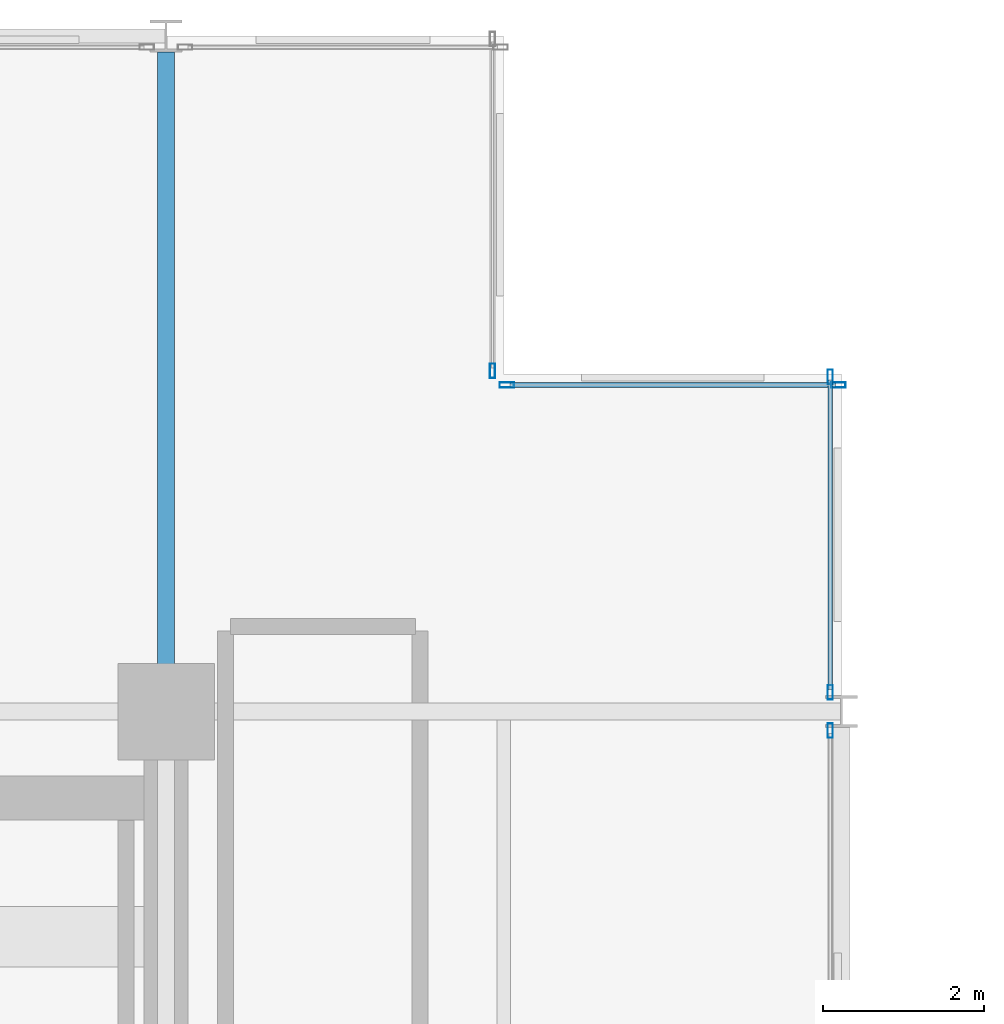
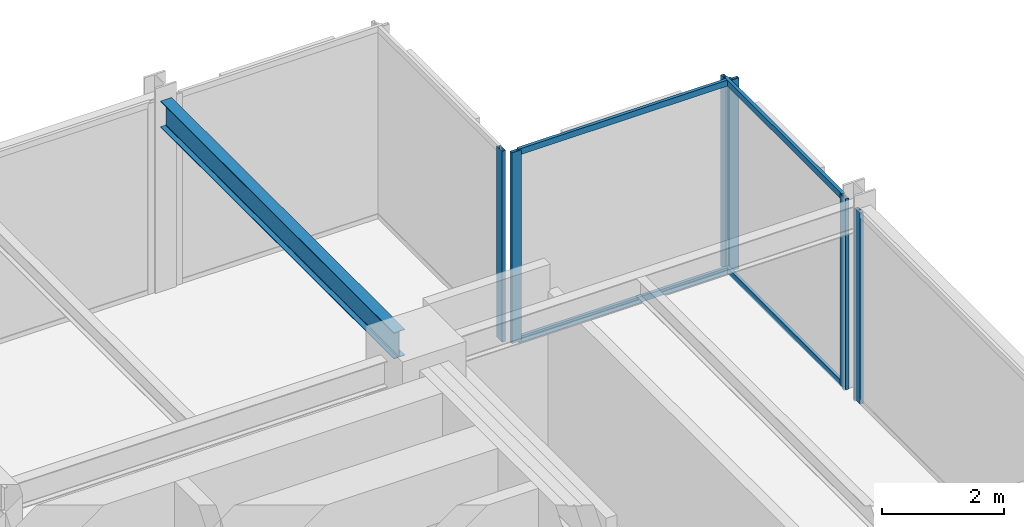
# One storey, part 28 of 38: 10 members, 1 beam, 4 elements without a shape of their own.
"""IFC4 building model written with IfcOpenShell, lengths in metres."""

import ifcopenshell
import ifcopenshell.guid

model = None  # the IFC model being written
_history = None  # IfcOwnerHistory: only IFC2X3 demands one
_inside = {}  # id of a spatial element -> (the spatial element, [elements in it])
_under = {}  # id of a project, library or spatial element -> (it, [spatial elements below it])
_declared = {}  # id of a project -> (the project, [libraries it declares])
_typed = {}  # id of a type object -> (the type object, [elements of that type])
_made_of = {}  # id of a material, layer set ... -> (it, [elements and type objects made of it])


def new_model(schema):
    """Start an empty IFC model of exactly this schema.

    Asked for "IFC4X3", IfcOpenShell would pick the latest addendum, in which some entities
    have other attributes; the version numbers below select the first issue.
    IFC2X3 requires an IfcOwnerHistory on every rooted entity: one is made here for all.
    """
    global model, _history
    if schema == "IFC4X3":
        model = ifcopenshell.file(schema_version=(4, 3, 0, 0))
    else:
        model = ifcopenshell.file(schema=schema)
    _inside.clear()
    _under.clear()
    _declared.clear()
    _typed.clear()
    _made_of.clear()
    _history = None
    if model.schema == "IFC2X3":
        org = make("IfcOrganization", Name="unknown")
        user = make(
            "IfcPersonAndOrganization",
            ThePerson=make("IfcPerson", FamilyName="unknown"),
            TheOrganization=org,
        )
        app = make(
            "IfcApplication",
            ApplicationDeveloper=org,
            Version="unknown",
            ApplicationFullName="unknown",
            ApplicationIdentifier="unknown",
        )
        _history = make(
            "IfcOwnerHistory",
            OwningUser=user,
            OwningApplication=app,
            ChangeAction="ADDED",
            CreationDate=0,
        )
    return model


def make(cls, **values):
    """One entity of the class cls with the attributes given. An attribute that is None is left unset."""
    return model.create_entity(
        cls, **{name: value for name, value in values.items() if value is not None}
    )


def rooted(cls, **values):
    """An entity with a GlobalId (a new one), such as an element, a storey or a relation."""
    return make(cls, GlobalId=ifcopenshell.guid.new(), OwnerHistory=_history, **values)


def si_unit(unit_type, name, prefix=None):
    """IfcSIUnit, for example si_unit("LENGTHUNIT", "METRE", prefix="MILLI")."""
    return make("IfcSIUnit", UnitType=unit_type, Prefix=prefix, Name=name)


def assignment(units):
    """IfcUnitAssignment: the units of a project."""
    return None if units is None else make("IfcUnitAssignment", Units=units)


def point(xyz):
    """IfcCartesianPoint."""
    return None if xyz is None else make("IfcCartesianPoint", Coordinates=xyz)


def direction(xyz):
    """IfcDirection."""
    return None if xyz is None else make("IfcDirection", DirectionRatios=xyz)


def frame(location, z_axis=None, x_axis=None):
    """IfcAxis2Placement3D, a coordinate frame: its origin and axes. An axis left out is left unset."""
    return make(
        "IfcAxis2Placement3D",
        Location=point(location),
        Axis=direction(z_axis),
        RefDirection=direction(x_axis),
    )


def frame_2d(location, x_axis=None):
    """IfcAxis2Placement2D, a coordinate frame in the plane: its origin and x axis."""
    return make(
        "IfcAxis2Placement2D", Location=point(location), RefDirection=direction(x_axis)
    )


def origin():
    """The frame at (0, 0, 0) with its axes left unset."""
    return frame((0.0, 0.0, 0.0))


def origin_2d():
    """The frame at (0, 0) in the plane with its x axis left unset."""
    return frame_2d((0.0, 0.0))


def place(relative_to, where):
    """IfcLocalPlacement: puts the frame where relative to a parent placement (None: the world)."""
    return make(
        "IfcLocalPlacement", PlacementRelTo=relative_to, RelativePlacement=where
    )


def context(
    kind, dimensions, precision=None, world=None, true_north=None, identifier=None
):
    """IfcGeometricRepresentationContext, for example the 3D "Model" context."""
    return make(
        "IfcGeometricRepresentationContext",
        ContextIdentifier=identifier,
        ContextType=kind,
        CoordinateSpaceDimension=dimensions,
        Precision=precision,
        WorldCoordinateSystem=world,
        TrueNorth=true_north,
    )


def subcontext(parent, identifier, kind, view, scale=None):
    """IfcGeometricRepresentationSubContext, for example "Body" below "Model"."""
    return make(
        "IfcGeometricRepresentationSubContext",
        ContextIdentifier=identifier,
        ContextType=kind,
        ParentContext=parent,
        TargetScale=scale,
        TargetView=view,
    )


def project(units=None, contexts=None):
    """IfcProject with its units and contexts."""
    return rooted(
        "IfcProject",
        Name="project",
        RepresentationContexts=contexts,
        UnitsInContext=assignment(units),
    )


def spatial(cls, under=None, at=None, **own):
    """A site, building, storey or space (cls), placed at a placement, below another one or the project."""
    s = rooted(cls, ObjectPlacement=at, **own)
    if under is not None:
        _under.setdefault(under.id(), (under, []))[1].append(s)
    return s


def profile(cls, at=None, kind="AREA", **sizes):
    """A parametric profile (cls). Its sizes go by their IFC names, for example OverallWidth=200.0."""
    return make(cls, ProfileType=kind, Position=at, **sizes)


def hollow_rectangle(**sizes):
    """IfcRectangleHollowProfileDef."""
    return profile("IfcRectangleHollowProfileDef", **sizes)


def i_section(**sizes):
    """IfcIShapeProfileDef."""
    return profile("IfcIShapeProfileDef", **sizes)


def extrude(swept, where, along, depth):
    """IfcExtrudedAreaSolid: the profile swept, set in the frame where, extruded along a direction by depth."""
    return make(
        "IfcExtrudedAreaSolid",
        SweptArea=swept,
        Position=where,
        ExtrudedDirection=direction(along),
        Depth=depth,
    )


def shape(context_of_items, identifier, shape_type, items):
    """IfcShapeRepresentation: the items that make up one representation, for example the "Body"."""
    return make(
        "IfcShapeRepresentation",
        ContextOfItems=context_of_items,
        RepresentationIdentifier=identifier,
        RepresentationType=shape_type,
        Items=items,
    )


def material(Name=None, Category=None):
    """IfcMaterial."""
    return make("IfcMaterial", Name=Name, Category=Category)


def layer(
    of_material, thickness, ventilated=None, Name=None, Category=None, Priority=None
):
    """IfcMaterialLayer: one layer of a wall or slab, of a material (None: an air gap)."""
    return make(
        "IfcMaterialLayer",
        Material=of_material,
        LayerThickness=thickness,
        IsVentilated=ventilated,
        Name=Name,
        Category=Category,
        Priority=Priority,
    )


def layer_set(layers, Name=None):
    """IfcMaterialLayerSet."""
    return make("IfcMaterialLayerSet", MaterialLayers=layers, LayerSetName=Name)


def material_profile(
    of_material, cross_section, Name=None, Category=None, Priority=None
):
    """IfcMaterialProfile: a cross section and its material."""
    return make(
        "IfcMaterialProfile",
        Name=Name,
        Material=of_material,
        Profile=cross_section,
        Priority=Priority,
        Category=Category,
    )


def profile_set(profiles, Name=None, composite=None):
    """IfcMaterialProfileSet."""
    return make(
        "IfcMaterialProfileSet",
        Name=Name,
        MaterialProfiles=profiles,
        CompositeProfile=composite,
    )


def made_of(thing, what):
    """Note that an element or type object is made of a material, layer set ...; save() writes the relation."""
    if what is not None:
        _made_of.setdefault(what.id(), (what, []))[1].append(thing)
    return thing


def type_object(cls, material=None, **own):
    """A type object (cls), such as IfcWallType, which elements share."""
    return made_of(rooted(cls, **own), material)


def element(
    cls,
    number,
    at=None,
    inside=None,
    cuts=None,
    type_object=None,
    material=None,
    context=None,
    identifier="Body",
    shape_type=None,
    held_by="IfcProductDefinitionShape",
    body=None,
    shapes=None,
    **own,
):
    """One element of the class cls, such as IfcWall. Its Tag is "e" and its number.

    at: its placement. inside: the storey or other place that contains it. cuts: it is an
    opening in that element (IfcRelVoidsElement). A single representation is given by context,
    identifier, shape_type and body (its items); several are given by shapes. held_by: the class
    of the entity that holds the representations. save() writes the other relations.
    """
    e = rooted(cls, Tag="e%d" % number, ObjectPlacement=at, **own)
    if body is not None:
        shapes = [shape(context, identifier, shape_type, body)]
    if shapes is not None:
        e.Representation = make(held_by, Representations=shapes)
    if inside is not None:
        _inside.setdefault(inside.id(), (inside, []))[1].append(e)
    if cuts is not None:
        rooted(
            "IfcRelVoidsElement", RelatingBuildingElement=cuts, RelatedOpeningElement=e
        )
    if type_object is not None:
        _typed.setdefault(type_object.id(), (type_object, []))[1].append(e)
    return made_of(e, material)


def aggregate(whole, parts):
    """IfcRelAggregates: a whole, such as a stair, and the parts it consists of."""
    return rooted("IfcRelAggregates", RelatingObject=whole, RelatedObjects=parts)


def save(model, path):
    """Write the relations noted so far, then the file.

    IfcRelAggregates (storeys below a building ...), IfcRelContainedInSpatialStructure (elements
    in a storey), IfcRelDefinesByType, IfcRelAssociatesMaterial and IfcRelDeclares: one each for
    every whole, place, type object, material and project.
    """
    for whole, parts in _under.values():
        aggregate(whole, parts)
    for where, things in _inside.values():
        rooted(
            "IfcRelContainedInSpatialStructure",
            RelatedElements=things,
            RelatingStructure=where,
        )
    for kind, things in _typed.values():
        rooted("IfcRelDefinesByType", RelatedObjects=things, RelatingType=kind)
    for what, things in _made_of.values():
        rooted("IfcRelAssociatesMaterial", RelatedObjects=things, RelatingMaterial=what)
    for by, libraries in _declared.values():
        rooted("IfcRelDeclares", RelatingContext=by, RelatedDefinitions=libraries)
    model.write(path)


model = new_model("IFC4")

# Units and contexts
model_context = context("Model", 3, precision=1e-05, world=origin(), true_north=direction((0.0, 1.0)))
body_context = subcontext(model_context, "Body", "Model", "MODEL_VIEW")
ifc_project = project(units=[si_unit("LENGTHUNIT", "METRE"), si_unit("AREAUNIT", "SQUARE_METRE"), si_unit("VOLUMEUNIT", "CUBIC_METRE"), si_unit("PLANEANGLEUNIT", "RADIAN"), si_unit("MASSUNIT", "GRAM", prefix="KILO")], contexts=[model_context])

# Site, building, storey
site_placement = place(None, origin())
site = spatial("IfcSite", under=ifc_project, at=site_placement, CompositionType="ELEMENT")
building_placement = place(site_placement, origin())
building = spatial("IfcBuilding", under=site, at=building_placement, Name="Nerrivon Quay Data Exchange", CompositionType="ELEMENT")
storey_placement = place(building_placement, frame((0.0, 0.0, 100.800048828125)))
storey = spatial("IfcBuildingStorey", under=building, at=storey_placement, Name="L23", CompositionType="ELEMENT", Elevation=100.800048828125)

# Beam
ifc_material_1 = material(Name="Steel Grade 350", Category="steel")
ifc_material_profile_1 = material_profile(ifc_material_1, i_section(OverallWidth=0.208984375, OverallDepth=0.528076171875, WebThickness=0.009521484375, FlangeThickness=0.01318359375, FilletRadius=0.013916015625, at=origin_2d()), Name="530UB82.0")
ifc_profile_set_1 = profile_set([ifc_material_profile_1], Name="Steel Grade 350")
beam_type = type_object("IfcBeamType", Name="BM-G4-530UB82", PredefinedType="BEAM", material=ifc_profile_set_1)
beam_placement = place(storey_placement, frame((16.800048828125, 42.5400390625, 3.56103515625), z_axis=(0.0, 1.0, 0.0), x_axis=(-1.0, 0.0, 0.0)))
element("IfcBeam", 1, at=beam_placement, inside=storey, type_object=beam_type, Name="L23 NS Girder X=16.8 (42.0..50.4)", PredefinedType="BEAM", context=body_context, shape_type="SweptSolid", body=[
    extrude(i_section(OverallWidth=0.208984375, OverallDepth=0.528076171875, WebThickness=0.009521484375, FlangeThickness=0.01318359375, FilletRadius=0.013916015625, at=origin_2d()), origin(), (0.0, 0.0, 1.0), 7.659912109375),
])

# Curtain wall, member
ifc_material_2 = material(Name="Anodised aluminium 6063-T6", Category="aluminium")
ifc_layer = layer(ifc_material_2, 0.2099609375)
ifc_layer_set = layer_set([ifc_layer], Name="Anodised aluminium 6063-T6")
curtain_wall_type = type_object("IfcCurtainWallType", Name="CW-SYS-02", PredefinedType="NOTDEFINED", material=ifc_layer_set)
curtain_wall_1_placement = place(storey_placement, origin())
curtain_wall_1 = element("IfcCurtainWall", 2, at=curtain_wall_1_placement, inside=storey, type_object=curtain_wall_type, Name="L23 Unitised Curtain Wall 27", PredefinedType="NOTDEFINED")
ifc_material_profile_2 = material_profile(ifc_material_2, hollow_rectangle(XDim=0.06494140625, YDim=0.179931640625, WallThickness=0.00341796875, at=origin_2d()), Name="ALU-MULL-180x65")
ifc_profile_set_2 = profile_set([ifc_material_profile_2], Name="Anodised aluminium 6063-T6")
member_type_1 = type_object("IfcMemberType", Name="CWM-180x65", PredefinedType="MULLION", material=ifc_profile_set_2)
member_1_placement = place(storey_placement, frame((20.860107421875, 46.237548828125, 0.0), z_axis=(0.0, 0.0, 1.0), x_axis=(1.0, 0.0, 0.0)))
member_1 = element("IfcMember", 3, at=member_1_placement, type_object=member_type_1, Name="CW02 mullion 2", PredefinedType="MULLION", context=body_context, shape_type="SweptSolid", body=[
    extrude(hollow_rectangle(XDim=0.06494140625, YDim=0.179931640625, WallThickness=0.00341796875, at=origin_2d()), origin(), (0.0, 0.0, 1.0), 3.824951171875),
])
aggregate(curtain_wall_1, [member_1])

# Curtain wall, members
curtain_wall_2_placement = place(storey_placement, origin())
curtain_wall_2 = element("IfcCurtainWall", 4, at=curtain_wall_2_placement, inside=storey, type_object=curtain_wall_type, Name="L23 Unitised Curtain Wall 28", PredefinedType="NOTDEFINED")
member_2_placement = place(storey_placement, frame((21.03759765625, 46.06005859375, 0.0), z_axis=(0.0, 0.0, 1.0), x_axis=(0.0, 1.0, 0.0)))
member_2 = element("IfcMember", 5, at=member_2_placement, type_object=member_type_1, Name="CW02 mullion 1", PredefinedType="MULLION", context=body_context, shape_type="SweptSolid", body=[
    extrude(hollow_rectangle(XDim=0.06494140625, YDim=0.179931640625, WallThickness=0.00341796875, at=origin_2d()), origin(), (0.0, 0.0, 1.0), 3.824951171875),
])
member_3_placement = place(storey_placement, frame((25.16259765625, 46.06005859375, 0.0), z_axis=(0.0, 0.0, 1.0), x_axis=(0.0, 1.0, 0.0)))
member_3 = element("IfcMember", 6, at=member_3_placement, type_object=member_type_1, Name="CW02 mullion 2", PredefinedType="MULLION", context=body_context, shape_type="SweptSolid", body=[
    extrude(hollow_rectangle(XDim=0.06494140625, YDim=0.179931640625, WallThickness=0.00341796875, at=origin_2d()), origin(), (0.0, 0.0, 1.0), 3.824951171875),
])

curtain_wall_3_placement = place(storey_placement, origin())
curtain_wall_3 = element("IfcCurtainWall", 7, at=curtain_wall_3_placement, inside=storey, type_object=curtain_wall_type, Name="L23 Unitised Curtain Wall 29", PredefinedType="NOTDEFINED")
member_4_placement = place(storey_placement, frame((25.06005859375, 46.16259765625, 0.0), z_axis=(0.0, 0.0, 1.0), x_axis=(1.0, 0.0, 0.0)))
member_4 = element("IfcMember", 8, at=member_4_placement, type_object=member_type_1, Name="CW02 mullion 1", PredefinedType="MULLION", context=body_context, shape_type="SweptSolid", body=[
    extrude(hollow_rectangle(XDim=0.06494140625, YDim=0.179931640625, WallThickness=0.00341796875, at=origin_2d()), origin(), (0.0, 0.0, 1.0), 3.824951171875),
])
member_5_placement = place(storey_placement, frame((25.06005859375, 42.237548828125, 0.0), z_axis=(0.0, 0.0, 1.0), x_axis=(1.0, 0.0, 0.0)))
member_5 = element("IfcMember", 9, at=member_5_placement, type_object=member_type_1, Name="CW02 mullion 2", PredefinedType="MULLION", context=body_context, shape_type="SweptSolid", body=[
    extrude(hollow_rectangle(XDim=0.06494140625, YDim=0.179931640625, WallThickness=0.00341796875, at=origin_2d()), origin(), (0.0, 0.0, 1.0), 3.824951171875),
])

# Curtain wall, member
curtain_wall_4_placement = place(storey_placement, origin())
curtain_wall_4 = element("IfcCurtainWall", 10, at=curtain_wall_4_placement, inside=storey, type_object=curtain_wall_type, Name="L23 Unitised Curtain Wall 30", PredefinedType="NOTDEFINED")
member_6_placement = place(storey_placement, frame((25.06005859375, 41.762451171875, 0.0), z_axis=(0.0, 0.0, 1.0), x_axis=(1.0, 0.0, 0.0)))
member_6 = element("IfcMember", 11, at=member_6_placement, type_object=member_type_1, Name="CW02 mullion 1", PredefinedType="MULLION", context=body_context, shape_type="SweptSolid", body=[
    extrude(hollow_rectangle(XDim=0.06494140625, YDim=0.179931640625, WallThickness=0.00341796875, at=origin_2d()), origin(), (0.0, 0.0, 1.0), 3.824951171875),
])
aggregate(curtain_wall_4, [member_6])

# Member
ifc_material_profile_3 = material_profile(ifc_material_2, hollow_rectangle(XDim=0.06005859375, YDim=0.1201171875, WallThickness=0.003173828125, at=origin_2d()), Name="ALU-TRAN-120x60")
ifc_profile_set_3 = profile_set([ifc_material_profile_3], Name="Anodised aluminium 6063-T6")
member_type_2 = type_object("IfcMemberType", Name="CWT-120x60", PredefinedType="USERDEFINED", material=ifc_profile_set_3)
member_7_placement = place(storey_placement, frame((21.074951171875, 46.06005859375, 0.032470703125), z_axis=(1.0, 0.0, 0.0), x_axis=(0.0, 1.0, 0.0)))
member_7 = element("IfcMember", 12, at=member_7_placement, type_object=member_type_2, Name="CW02 transom 1.1", ObjectType="TRANSOM", PredefinedType="USERDEFINED", context=body_context, shape_type="SweptSolid", body=[
    extrude(hollow_rectangle(XDim=0.06005859375, YDim=0.1201171875, WallThickness=0.003173828125, at=origin_2d()), origin(), (0.0, 0.0, 1.0), 4.050048828125),
])

member_8_placement = place(storey_placement, frame((21.074951171875, 46.06005859375, 3.79248046875), z_axis=(1.0, 0.0, 0.0), x_axis=(0.0, 1.0, 0.0)))
member_8 = element("IfcMember", 13, at=member_8_placement, type_object=member_type_2, Name="CW02 transom 1.2", ObjectType="TRANSOM", PredefinedType="USERDEFINED", context=body_context, shape_type="SweptSolid", body=[
    extrude(hollow_rectangle(XDim=0.06005859375, YDim=0.1201171875, WallThickness=0.003173828125, at=origin_2d()), origin(), (0.0, 0.0, 1.0), 4.050048828125),
])

aggregate(curtain_wall_2, [member_2, member_3, member_7, member_8])

member_9_placement = place(storey_placement, frame((25.06005859375, 46.125, 0.032470703125), z_axis=(0.0, -1.0, 0.0), x_axis=(1.0, 0.0, 0.0)))
member_9 = element("IfcMember", 14, at=member_9_placement, type_object=member_type_2, Name="CW02 transom 1.1", ObjectType="TRANSOM", PredefinedType="USERDEFINED", context=body_context, shape_type="SweptSolid", body=[
    extrude(hollow_rectangle(XDim=0.06005859375, YDim=0.1201171875, WallThickness=0.003173828125, at=origin_2d()), origin(), (0.0, 0.0, 1.0), 3.85009765625),
])

member_10_placement = place(storey_placement, frame((25.06005859375, 46.125, 3.79248046875), z_axis=(0.0, -1.0, 0.0), x_axis=(1.0, 0.0, 0.0)))
member_10 = element("IfcMember", 15, at=member_10_placement, type_object=member_type_2, Name="CW02 transom 1.2", ObjectType="TRANSOM", PredefinedType="USERDEFINED", context=body_context, shape_type="SweptSolid", body=[
    extrude(hollow_rectangle(XDim=0.06005859375, YDim=0.1201171875, WallThickness=0.003173828125, at=origin_2d()), origin(), (0.0, 0.0, 1.0), 3.85009765625),
])

aggregate(curtain_wall_3, [member_4, member_5, member_9, member_10])

save(model, "model.ifc")
